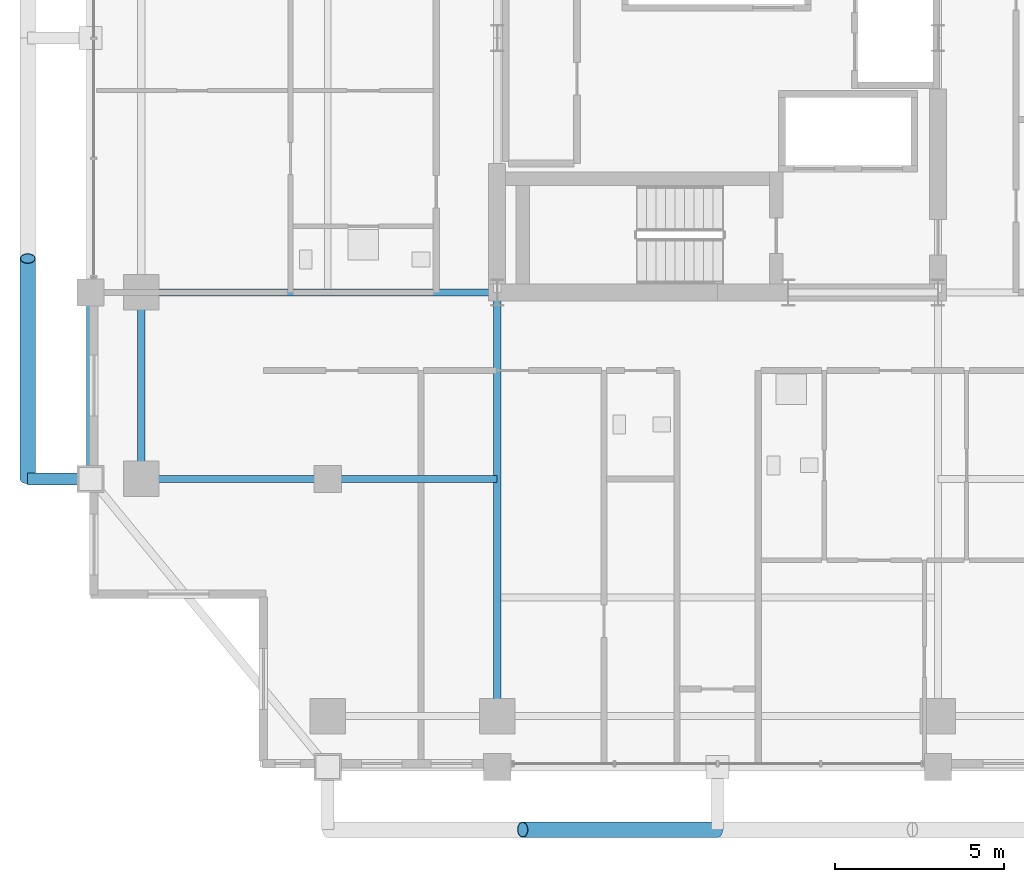
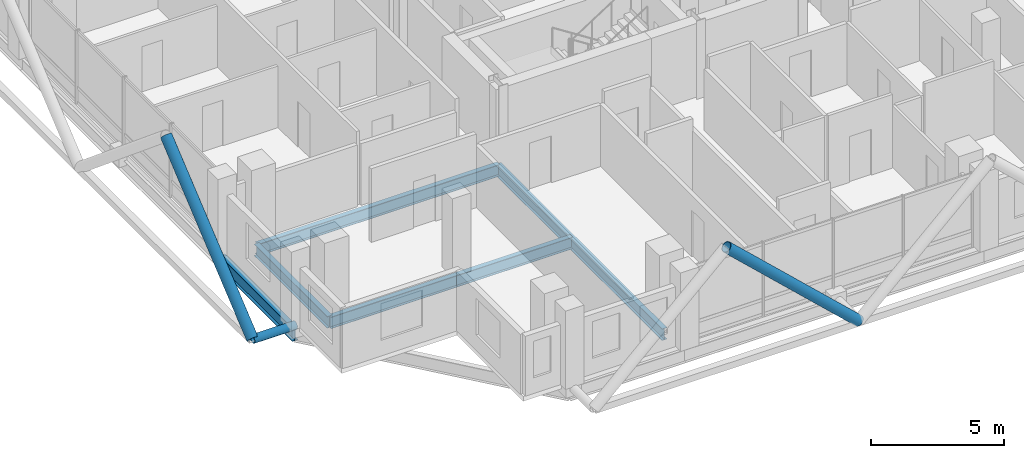
# One storey, part 3 of 26: 6 beams, 3 members.
"""IFC4 building model written with IfcOpenShell, lengths in metres."""

from ifc_helpers import new_model, si_unit, direction, frame, origin, origin_2d, place, context, subcontext, project, spatial, hollow_circle, i_section, extrude, material, material_profile, profile_set, type_object, element, save


model = new_model("IFC4")

# Units and contexts
model_context = context("Model", 3, precision=1e-05, world=origin(), true_north=direction((0.0, 1.0)))
body_context = subcontext(model_context, "Body", "Model", "MODEL_VIEW")
ifc_project = project(units=[si_unit("LENGTHUNIT", "METRE"), si_unit("AREAUNIT", "SQUARE_METRE"), si_unit("VOLUMEUNIT", "CUBIC_METRE"), si_unit("PLANEANGLEUNIT", "RADIAN"), si_unit("MASSUNIT", "GRAM", prefix="KILO")], contexts=[model_context])

# Site, building, storey
site_placement = place(None, origin())
site = spatial("IfcSite", under=ifc_project, at=site_placement, CompositionType="ELEMENT")
building_placement = place(site_placement, origin())
building = spatial("IfcBuilding", under=site, at=building_placement, Name="Barlavira Tower and Art Museum", CompositionType="ELEMENT")
storey_placement = place(building_placement, frame((0.0, 0.0, 187.199951171875)))
storey = spatial("IfcBuildingStorey", under=building, at=storey_placement, Name="L48", CompositionType="ELEMENT", Elevation=187.199951171875)

# Members
ifc_material = material(Name="Steel S355", Category="steel")
ifc_material_profile_1 = material_profile(ifc_material, hollow_circle(Radius=0.228515625, WallThickness=0.02001953125, at=origin_2d()), Name="CHS 457.0x20.0")
ifc_profile_set_1 = profile_set([ifc_material_profile_1], Name="Steel S355")
member_type_1 = type_object("IfcMemberType", Name="Pale-Metal Exoskeleton Diagrid Tube CHS 457x20 Steel S355", PredefinedType="BRACE", material=ifc_profile_set_1)
member_1_placement = place(storey_placement, frame((0.0, -23.35009765625, -0.119873046875), z_axis=(-0.728950095515, 0.0, 0.684566839869), x_axis=(0.0, -1.0, 0.0)))
element("IfcMember", 1, at=member_1_placement, inside=storey, type_object=member_type_1, Name="L48 Exoskeleton Diagrid Tube S", PredefinedType="BRACE", context=body_context, shape_type="SweptSolid", body=[
    extrude(hollow_circle(Radius=0.228515625, WallThickness=0.02001953125, at=origin_2d()), origin(), (0.0, 0.0, 1.0), 7.887939453125),
])
member_2_placement = place(storey_placement, frame((-20.35009765625, -13.0, -0.119873046875), z_axis=(0.0, 0.769196053329, 0.639012857104), x_axis=(-1.0, 0.0, 0.0)))
element("IfcMember", 2, at=member_2_placement, inside=storey, type_object=member_type_1, Name="L48 Exoskeleton Diagrid Tube W", PredefinedType="BRACE", context=body_context, shape_type="SweptSolid", body=[
    extrude(hollow_circle(Radius=0.228515625, WallThickness=0.02001953125, at=origin_2d()), origin(), (0.0, 0.0, 1.0), 8.450439453125),
])
ifc_material_profile_2 = material_profile(ifc_material, hollow_circle(Radius=0.177734375, WallThickness=0.01611328125, at=origin_2d()), Name="CHS 355.6x16.0")
ifc_profile_set_2 = profile_set([ifc_material_profile_2], Name="Steel S355")
member_type_2 = type_object("IfcMemberType", Name="Pale-Metal Exoskeleton Tie Strut CHS 356x16 Steel S355", PredefinedType="STRUT", material=ifc_profile_set_2)
member_3_placement = place(storey_placement, frame((-20.35009765625, -13.0, -0.119873046875), z_axis=(1.0, 0.0, 0.0), x_axis=(0.0, 1.0, 0.0)))
element("IfcMember", 3, at=member_3_placement, inside=storey, type_object=member_type_2, Name="L48 Exoskeleton Tie Strut W1", PredefinedType="STRUT", context=body_context, shape_type="SweptSolid", body=[
    extrude(hollow_circle(Radius=0.177734375, WallThickness=0.01611328125, at=origin_2d()), origin(), (0.0, 0.0, 1.0), 1.85009765625),
])

# Beams
ifc_material_profile_3 = material_profile(ifc_material, i_section(OverallWidth=0.22998046875, OverallDepth=0.616943359375, WebThickness=0.01318359375, FlangeThickness=0.022216796875, at=origin_2d()), Name="W610x140.0")
ifc_profile_set_3 = profile_set([ifc_material_profile_3], Name="Steel S355")
beam_type_1 = type_object("IfcBeamType", Name="Upper Shaft Spandrel Edge Beam W610x140 Steel S355", PredefinedType="SPANDREL", material=ifc_profile_set_3)
beam_1_placement = place(storey_placement, frame((-18.5, -13.0, -0.528564453125), z_axis=(0.0, 1.0, 0.0), x_axis=(-1.0, 0.0, 0.0)))
element("IfcBeam", 4, at=beam_1_placement, inside=storey, type_object=beam_type_1, Name="L48 Spandrel 15", PredefinedType="SPANDREL", context=body_context, shape_type="SweptSolid", body=[
    extrude(i_section(OverallWidth=0.22998046875, OverallDepth=0.616943359375, WebThickness=0.01318359375, FlangeThickness=0.022216796875, at=origin_2d()), origin(), (0.0, 0.0, 1.0), 5.5),
])
ifc_material_profile_4 = material_profile(ifc_material, i_section(OverallWidth=0.2109375, OverallDepth=0.5390625, WebThickness=0.01171875, FlangeThickness=0.018798828125, at=origin_2d()), Name="W530x109.0")
ifc_profile_set_4 = profile_set([ifc_material_profile_4], Name="Steel S355")
beam_type_2 = type_object("IfcBeamType", Name="Zone 3-4 Primary Floor Girder W530x109 Steel S355", PredefinedType="BEAM", material=ifc_profile_set_4)
beam_2_placement = place(storey_placement, frame((-17.0, -13.0, -0.489501953125), z_axis=(0.0, 1.0, 0.0), x_axis=(-1.0, 0.0, 0.0)))
element("IfcBeam", 5, at=beam_2_placement, inside=storey, type_object=beam_type_2, Name="L48 Girder M-W1", PredefinedType="BEAM", context=body_context, shape_type="SweptSolid", body=[
    extrude(i_section(OverallWidth=0.2109375, OverallDepth=0.5390625, WebThickness=0.01171875, FlangeThickness=0.018798828125, at=origin_2d()), origin(), (0.0, 0.0, 1.0), 5.5),
])
beam_3_placement = place(storey_placement, frame((-6.5, -20.0, -0.489501953125), z_axis=(0.0, 1.0, 0.0), x_axis=(-1.0, 0.0, 0.0)))
element("IfcBeam", 6, at=beam_3_placement, inside=storey, type_object=beam_type_2, Name="L48 Girder R-S1", PredefinedType="BEAM", context=body_context, shape_type="SweptSolid", body=[
    extrude(i_section(OverallWidth=0.2109375, OverallDepth=0.5390625, WebThickness=0.01171875, FlangeThickness=0.018798828125, at=origin_2d()), origin(), (0.0, 0.0, 1.0), 12.5),
])
beam_4_placement = place(storey_placement, frame((-17.0, -7.5, -0.489501953125), z_axis=(1.0, 0.0, 0.0), x_axis=(0.0, 1.0, 0.0)))
element("IfcBeam", 7, at=beam_4_placement, inside=storey, type_object=beam_type_2, Name="L48 Girder R-W1", PredefinedType="BEAM", context=body_context, shape_type="SweptSolid", body=[
    extrude(i_section(OverallWidth=0.2109375, OverallDepth=0.5390625, WebThickness=0.01171875, FlangeThickness=0.018798828125, at=origin_2d()), origin(), (0.0, 0.0, 1.0), 10.5),
])
beam_5_placement = place(storey_placement, frame((-17.0, -13.0, -0.489501953125), z_axis=(1.0, 0.0, 0.0), x_axis=(0.0, 1.0, 0.0)))
element("IfcBeam", 8, at=beam_5_placement, inside=storey, type_object=beam_type_2, Name="L48 Girder I-S1", PredefinedType="BEAM", context=body_context, shape_type="SweptSolid", body=[
    extrude(i_section(OverallWidth=0.2109375, OverallDepth=0.5390625, WebThickness=0.01171875, FlangeThickness=0.018798828125, at=origin_2d()), origin(), (0.0, 0.0, 1.0), 5.5),
])
beam_6_placement = place(storey_placement, frame((-11.5, -13.0, -0.489501953125), z_axis=(1.0, 0.0, 0.0), x_axis=(0.0, 1.0, 0.0)))
element("IfcBeam", 9, at=beam_6_placement, inside=storey, type_object=beam_type_2, Name="L48 Girder I-S2", PredefinedType="BEAM", context=body_context, shape_type="SweptSolid", body=[
    extrude(i_section(OverallWidth=0.2109375, OverallDepth=0.5390625, WebThickness=0.01171875, FlangeThickness=0.018798828125, at=origin_2d()), origin(), (0.0, 0.0, 1.0), 5.0),
])

save(model, "model.ifc")
